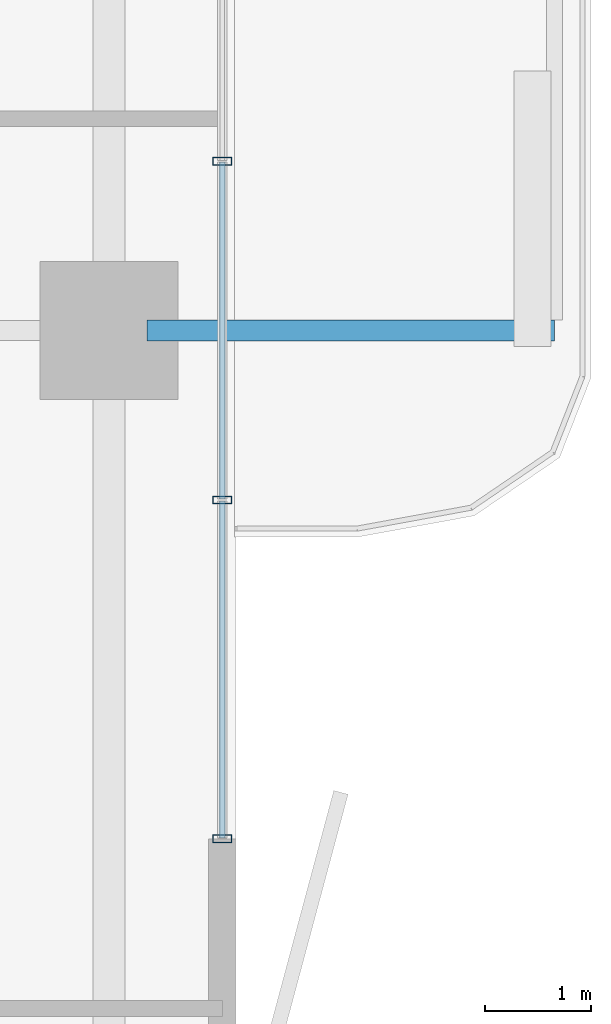
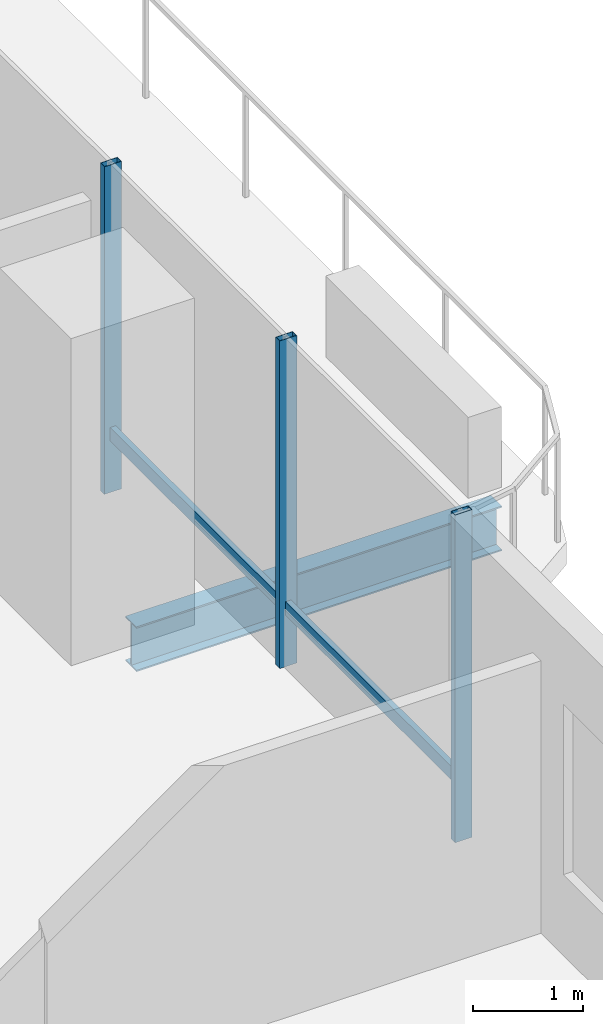
# One storey, part 8 of 24: 5 members, 1 beam, 1 element without a shape of its own.
"""IFC4 building model written with IfcOpenShell, lengths in metres."""

from ifc_helpers import new_model, si_unit, direction, frame, origin, origin_2d, place, context, subcontext, project, spatial, hollow_rectangle, i_section, extrude, material, layer, layer_set, material_profile, profile_set, type_object, element, aggregate, save


model = new_model("IFC4")

# Units and contexts
model_context = context("Model", 3, precision=1e-05, world=origin(), true_north=direction((0.0, 1.0)))
body_context = subcontext(model_context, "Body", "Model", "MODEL_VIEW")
ifc_project = project(units=[si_unit("LENGTHUNIT", "METRE"), si_unit("AREAUNIT", "SQUARE_METRE"), si_unit("VOLUMEUNIT", "CUBIC_METRE"), si_unit("PLANEANGLEUNIT", "RADIAN"), si_unit("MASSUNIT", "GRAM", prefix="KILO")], contexts=[model_context])

# Site, building, storey
site_placement = place(None, origin())
site = spatial("IfcSite", under=ifc_project, at=site_placement, CompositionType="ELEMENT")
building_placement = place(site_placement, origin())
building = spatial("IfcBuilding", under=site, at=building_placement, Name="Belovzor Exchange Tower", CompositionType="ELEMENT")
storey_placement = place(building_placement, frame((0.0, 0.0, 117.300048828125)))
storey = spatial("IfcBuildingStorey", under=building, at=storey_placement, Name="L28", CompositionType="ELEMENT", Elevation=117.300048828125)

# Beam
ifc_material_1 = material(Name="Steel S355", Category="steel")
ifc_material_profile_1 = material_profile(ifc_material_1, i_section(OverallWidth=0.199951171875, OverallDepth=0.5, WebThickness=0.01025390625, FlangeThickness=0.01611328125, at=origin_2d()))
ifc_profile_set_1 = profile_set([ifc_material_profile_1], Name="Steel S355")
beam_type = type_object("IfcBeamType", Name="Planted Balcony Cantilever Beam IPE 500", PredefinedType="BEAM", material=ifc_profile_set_1)
beam_placement = place(storey_placement, frame((54.05810546875, 28.800048828125, -0.5), z_axis=(1.0, 0.0, 0.0), x_axis=(0.0, 1.0, 0.0)))
element("IfcBeam", 1, at=beam_placement, inside=storey, type_object=beam_type, Name="BC-500 Planted Balcony Cantilever Beam IPE 500", PredefinedType="BEAM", context=body_context, shape_type="SweptSolid", body=[
    extrude(i_section(OverallWidth=0.199951171875, OverallDepth=0.5, WebThickness=0.01025390625, FlangeThickness=0.01611328125, at=origin_2d()), origin(), (0.0, 0.0, 1.0), 3.849853515625),
])

# Curtain wall, members
ifc_material_2 = material(Name="Anodised Aluminium Framing", Category="aluminium")
ifc_layer = layer(ifc_material_2, 0.179931640625)
ifc_layer_set = layer_set([ifc_layer], Name="Anodised Aluminium Framing")
curtain_wall_type = type_object("IfcCurtainWallType", Name="Recessed Loggia Low-Iron Triple-Glazed Curtain Wall", PredefinedType="NOTDEFINED", material=ifc_layer_set)
curtain_wall_placement = place(storey_placement, origin())
curtain_wall = element("IfcCurtainWall", 2, at=curtain_wall_placement, inside=storey, type_object=curtain_wall_type, Name="CW3 Recessed Loggia Low-Iron Triple-Glazed Curtain Wall L28", PredefinedType="NOTDEFINED")
ifc_material_3 = material(Name="Steel S355", Category="steel")
ifc_material_profile_2 = material_profile(ifc_material_3, hollow_rectangle(XDim=0.074951171875, YDim=0.179931640625, WallThickness=0.0048828125, at=origin_2d()))
ifc_profile_set_2 = profile_set([ifc_material_profile_2], Name="Steel S355")
member_type_1 = type_object("IfcMemberType", Name="Thermally Broken Curtain Wall Mullion 180x75", PredefinedType="MULLION", material=ifc_profile_set_2)
member_1_placement = place(storey_placement, frame((54.77001953125, 30.39990234375, 0.0), z_axis=(0.0, 0.0, 1.0), x_axis=(0.0, -1.0, 0.0)))
member_1 = element("IfcMember", 3, at=member_1_placement, type_object=member_type_1, Name="CW-M180 Curtain Wall Mullion 2", PredefinedType="MULLION", context=body_context, shape_type="SweptSolid", body=[
    extrude(hollow_rectangle(XDim=0.074951171875, YDim=0.179931640625, WallThickness=0.0048828125, at=origin_2d()), origin(), (0.0, 0.0, 1.0), 3.64990234375),
])
member_2_placement = place(storey_placement, frame((54.77001953125, 27.199951171875, 0.0), z_axis=(0.0, 0.0, 1.0), x_axis=(0.0, -1.0, 0.0)))
member_2 = element("IfcMember", 4, at=member_2_placement, type_object=member_type_1, Name="CW-M180 Curtain Wall Mullion 3", PredefinedType="MULLION", context=body_context, shape_type="SweptSolid", body=[
    extrude(hollow_rectangle(XDim=0.074951171875, YDim=0.179931640625, WallThickness=0.0048828125, at=origin_2d()), origin(), (0.0, 0.0, 1.0), 3.64990234375),
])
member_3_placement = place(storey_placement, frame((54.77001953125, 24.0, 0.0), z_axis=(0.0, 0.0, 1.0), x_axis=(0.0, -1.0, 0.0)))
member_3 = element("IfcMember", 5, at=member_3_placement, type_object=member_type_1, Name="CW-M180 Curtain Wall Mullion 4", PredefinedType="MULLION", context=body_context, shape_type="SweptSolid", body=[
    extrude(hollow_rectangle(XDim=0.074951171875, YDim=0.179931640625, WallThickness=0.0048828125, at=origin_2d()), origin(), (0.0, 0.0, 1.0), 3.64990234375),
])
ifc_material_4 = material(Name="Steel S355", Category="steel")
ifc_material_profile_3 = material_profile(ifc_material_4, hollow_rectangle(XDim=0.06005859375, YDim=0.14990234375, WallThickness=0.00390625, at=origin_2d()))
ifc_profile_set_3 = profile_set([ifc_material_profile_3], Name="Steel S355")
member_type_2 = type_object("IfcMemberType", Name="Thermally Broken Curtain Wall Transom 150x60", PredefinedType="USERDEFINED", material=ifc_profile_set_3)
member_4_placement = place(storey_placement, frame((54.77001953125, 30.39208984375, 0.64990234375), z_axis=(0.0, -1.0, 0.0), x_axis=(1.0, 0.0, 0.0)))
member_4 = element("IfcMember", 6, at=member_4_placement, type_object=member_type_2, Name="CW-T150 Curtain Wall Transom 2", ObjectType="TRANSOM", PredefinedType="USERDEFINED", context=body_context, shape_type="SweptSolid", body=[
    extrude(hollow_rectangle(XDim=0.06005859375, YDim=0.14990234375, WallThickness=0.00390625, at=origin_2d()), origin(), (0.0, 0.0, 1.0), 3.18408203125),
])
member_5_placement = place(storey_placement, frame((54.77001953125, 27.19189453125, 0.64990234375), z_axis=(0.0, -1.0, 0.0), x_axis=(1.0, 0.0, 0.0)))
member_5 = element("IfcMember", 7, at=member_5_placement, type_object=member_type_2, Name="CW-T150 Curtain Wall Transom 3", ObjectType="TRANSOM", PredefinedType="USERDEFINED", context=body_context, shape_type="SweptSolid", body=[
    extrude(hollow_rectangle(XDim=0.06005859375, YDim=0.14990234375, WallThickness=0.00390625, at=origin_2d()), origin(), (0.0, 0.0, 1.0), 3.183837890625),
])
aggregate(curtain_wall, [member_1, member_2, member_3, member_4, member_5])

save(model, "model.ifc")
